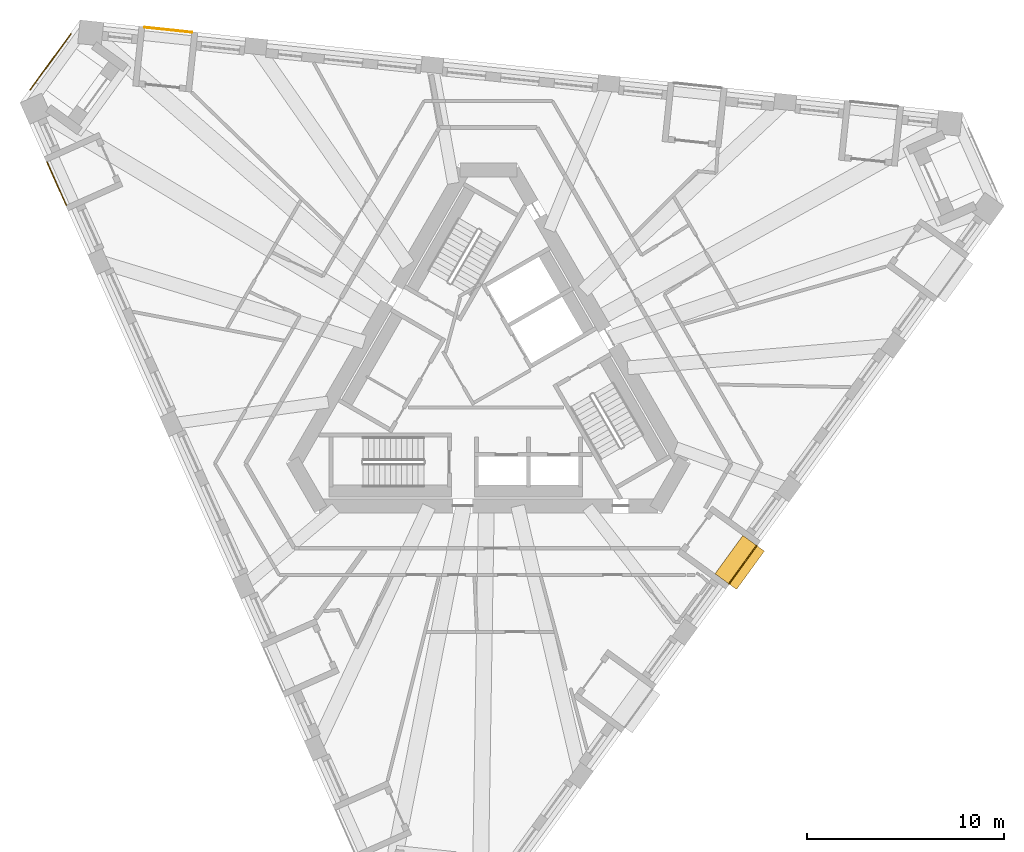
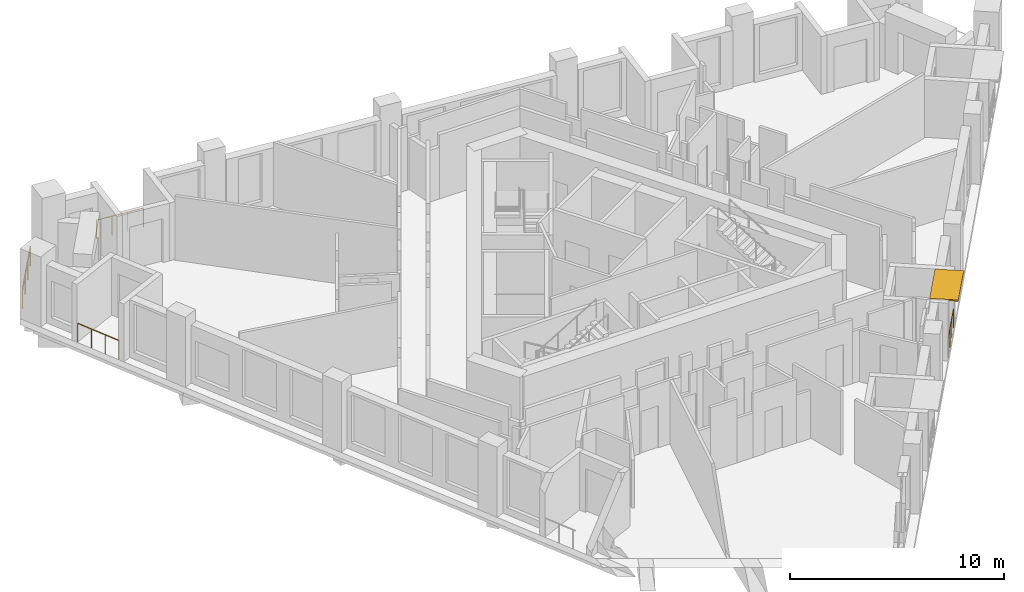
# One storey, part 10 of 11: 4 railings, 1 shading device.
"""IFC4 building model written with IfcOpenShell, lengths in metres."""

from ifc_helpers import new_model, si_unit, direction, frame, origin, origin_2d, place, context, subcontext, project, spatial, rectangle, circle, extrude, material, layer, layer_set, type_object, element, save


model = new_model("IFC4")

# Units and contexts
model_context = context("Model", 3, precision=1e-05, world=origin(), true_north=direction((0.0, 1.0)))
body_context = subcontext(model_context, "Body", "Model", "MODEL_VIEW")
ifc_project = project(units=[si_unit("LENGTHUNIT", "METRE"), si_unit("AREAUNIT", "SQUARE_METRE"), si_unit("VOLUMEUNIT", "CUBIC_METRE"), si_unit("PLANEANGLEUNIT", "RADIAN"), si_unit("MASSUNIT", "GRAM", prefix="KILO")], contexts=[model_context])

# Site, building, storey
site_placement = place(None, origin())
site = spatial("IfcSite", under=ifc_project, at=site_placement, CompositionType="ELEMENT")
building_placement = place(site_placement, origin())
building = spatial("IfcBuilding", under=site, at=building_placement, Name="Tramontana Tower", CompositionType="ELEMENT")
storey_placement = place(building_placement, frame((0.0, 0.0, 249.199951171875)))
storey = spatial("IfcBuildingStorey", under=building, at=storey_placement, Name="L58", CompositionType="ELEMENT", Elevation=249.199951171875)

# Railings
ifc_material_1 = material(Name="Laminated glass balustrade", Category="glass")
railing_type = type_object("IfcRailingType", Name="GD1 Loggia glass balustrade 1100", PredefinedType="BALUSTRADE", material=ifc_material_1)
railing_1_placement = place(storey_placement, frame((-22.404541015625, 11.0576171875, 0.0)))
element("IfcRailing", 1, at=railing_1_placement, inside=storey, type_object=railing_type, Name="Loggia balustrade L58 G6S0.1", PredefinedType="BALUSTRADE", context=body_context, shape_type="SweptSolid", body=[
    extrude(circle(Radius=0.02392578125, at=origin_2d()), frame((0.0, 0.0, 1.076171875), z_axis=(0.406723017018, -0.913551524232, 0.0), x_axis=(0.913551524232, 0.406723017018, 0.0)), (0.0, 0.0, 1.0), 2.40234375),
    extrude(circle(Radius=0.02099609375, at=origin_2d()), origin(), (0.0, 0.0, 1.0), 1.052001953125),
    extrude(circle(Radius=0.02099609375, at=origin_2d()), frame((0.32568359375, -0.7314453125, 0.0)), (0.0, 0.0, 1.0), 1.052001953125),
    extrude(circle(Radius=0.02099609375, at=origin_2d()), frame((0.6513671875, -1.463134765625, 0.0)), (0.0, 0.0, 1.0), 1.052001953125),
    extrude(circle(Radius=0.02099609375, at=origin_2d()), frame((0.97705078125, -2.194580078125, 0.0)), (0.0, 0.0, 1.0), 1.052001953125),
])
railing_2_placement = place(storey_placement, frame((12.214111328125, -10.358642578125, 0.0)))
element("IfcRailing", 2, at=railing_2_placement, inside=storey, type_object=railing_type, Name="Loggia balustrade L58 G6S1.7", PredefinedType="BALUSTRADE", context=body_context, shape_type="SweptSolid", body=[
    extrude(circle(Radius=0.02392578125, at=origin_2d()), frame((0.0, 0.0, 1.076171875), z_axis=(0.58776672416, 0.809030455527, 0.0), x_axis=(-0.809030455527, 0.58776672416, 0.0)), (0.0, 0.0, 1.0), 2.402099609375),
    extrude(circle(Radius=0.02099609375, at=origin_2d()), origin(), (0.0, 0.0, 1.0), 1.052001953125),
    extrude(circle(Radius=0.02099609375, at=origin_2d()), frame((0.470703125, 0.647705078125, 0.0)), (0.0, 0.0, 1.0), 1.052001953125),
    extrude(circle(Radius=0.02099609375, at=origin_2d()), frame((0.941162109375, 1.295654296875, 0.0)), (0.0, 0.0, 1.0), 1.052001953125),
    extrude(circle(Radius=0.02099609375, at=origin_2d()), frame((1.411865234375, 1.943359375, 0.0)), (0.0, 0.0, 1.0), 1.052001953125),
])
railing_3_placement = place(storey_placement, frame((-15.05078125, 17.639892578125, 0.0)))
element("IfcRailing", 3, at=railing_3_placement, inside=storey, type_object=railing_type, Name="Loggia balustrade L58 G6S2.13", PredefinedType="BALUSTRADE", context=body_context, shape_type="SweptSolid", body=[
    extrude(circle(Radius=0.02392578125, at=origin_2d()), frame((0.0, 0.0, 1.076171875), z_axis=(-0.994527704951, 0.104473173992, 0.0), x_axis=(-0.104473173992, -0.994527704951, 0.0)), (0.0, 0.0, 1.0), 2.40234375),
    extrude(circle(Radius=0.02099609375, at=origin_2d()), origin(), (0.0, 0.0, 1.0), 1.052001953125),
    extrude(circle(Radius=0.02099609375, at=origin_2d()), frame((-0.79638671875, 0.083740234375, 0.0)), (0.0, 0.0, 1.0), 1.052001953125),
    extrude(circle(Radius=0.02099609375, at=origin_2d()), frame((-1.5927734375, 0.167236328125, 0.0)), (0.0, 0.0, 1.0), 1.052001953125),
    extrude(circle(Radius=0.02099609375, at=origin_2d()), frame((-2.38916015625, 0.2509765625, 0.0)), (0.0, 0.0, 1.0), 1.052001953125),
])
railing_4_placement = place(storey_placement, frame((-23.25244140625, 14.730712890625, 0.0)))
element("IfcRailing", 4, at=railing_4_placement, inside=storey, type_object=railing_type, Name="Corner loggia balustrade L58 K60", PredefinedType="BALUSTRADE", context=body_context, shape_type="SweptSolid", body=[
    extrude(circle(Radius=0.02392578125, at=origin_2d()), frame((0.0, 0.0, 1.076171875), z_axis=(0.587810807352, 0.808998426921, 0.0), x_axis=(-0.808998426921, 0.587810807352, 0.0)), (0.0, 0.0, 1.0), 3.5),
    extrude(circle(Radius=0.02099609375, at=origin_2d()), origin(), (0.0, 0.0, 1.0), 1.052001953125),
    extrude(circle(Radius=0.02099609375, at=origin_2d()), frame((0.685791015625, 0.94384765625, 0.0)), (0.0, 0.0, 1.0), 1.052001953125),
    extrude(circle(Radius=0.02099609375, at=origin_2d()), frame((1.37158203125, 1.8876953125, 0.0)), (0.0, 0.0, 1.0), 1.052001953125),
    extrude(circle(Radius=0.02099609375, at=origin_2d()), frame((2.057373046875, 2.83154296875, 0.0)), (0.0, 0.0, 1.0), 1.052001953125),
])

# Shading device
ifc_material_2 = material(Name="Precast concrete 60 MPa", Category="concrete")
ifc_layer = layer(ifc_material_2, 0.080078125)
ifc_layer_set = layer_set([ifc_layer], Name="SS3 Stone sunshade blade 80")
shading_device_type = type_object("IfcShadingDeviceType", Name="SS3 Stone sunshade blade 80", PredefinedType="USERDEFINED", material=ifc_layer_set)
shading_device_placement = place(storey_placement, frame((12.76220703125, -9.272216796875, 3.219970703125), z_axis=(0.0, 0.0, 1.0), x_axis=(0.587785252292, 0.809016994375, 0.0)))
element("IfcShadingDevice", 5, at=shading_device_placement, inside=storey, type_object=shading_device_type, Name="Sunshade L58 G6S1.7", ObjectType="SUNSHADE", PredefinedType="USERDEFINED", context=body_context, shape_type="SweptSolid", body=[
    extrude(rectangle(XDim=2.402099609375, YDim=1.35009765625, at=origin_2d()), origin(), (0.0, 0.0, 1.0), 0.080078125),
])

save(model, "model.ifc")
